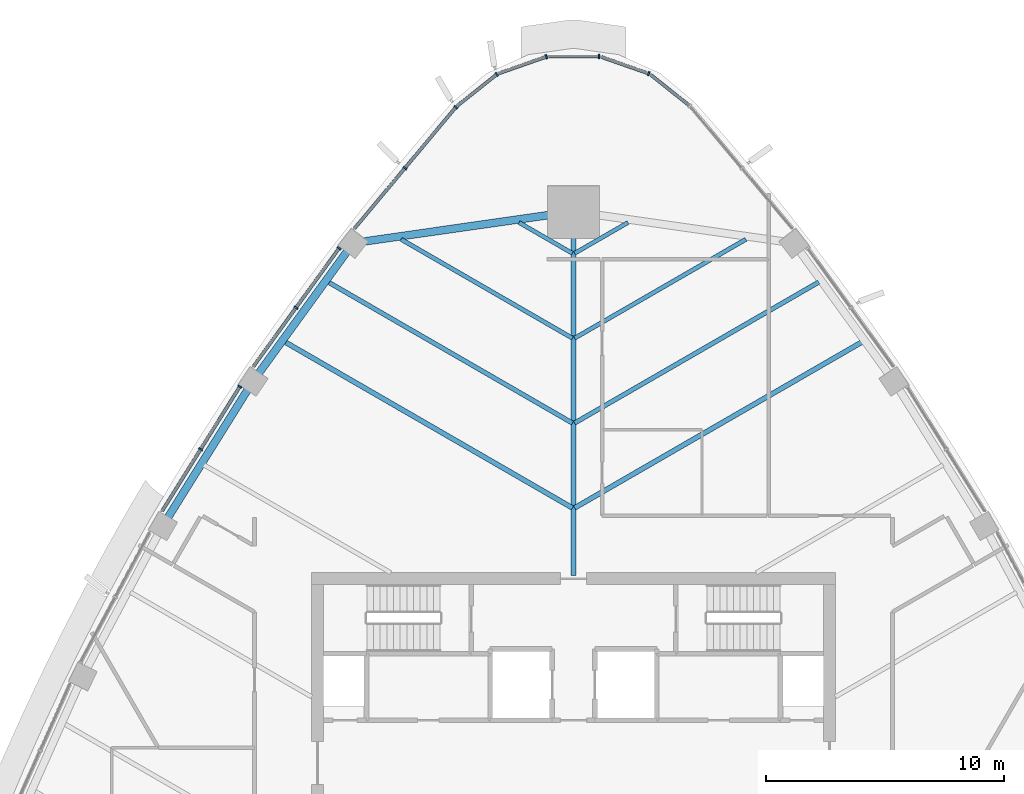
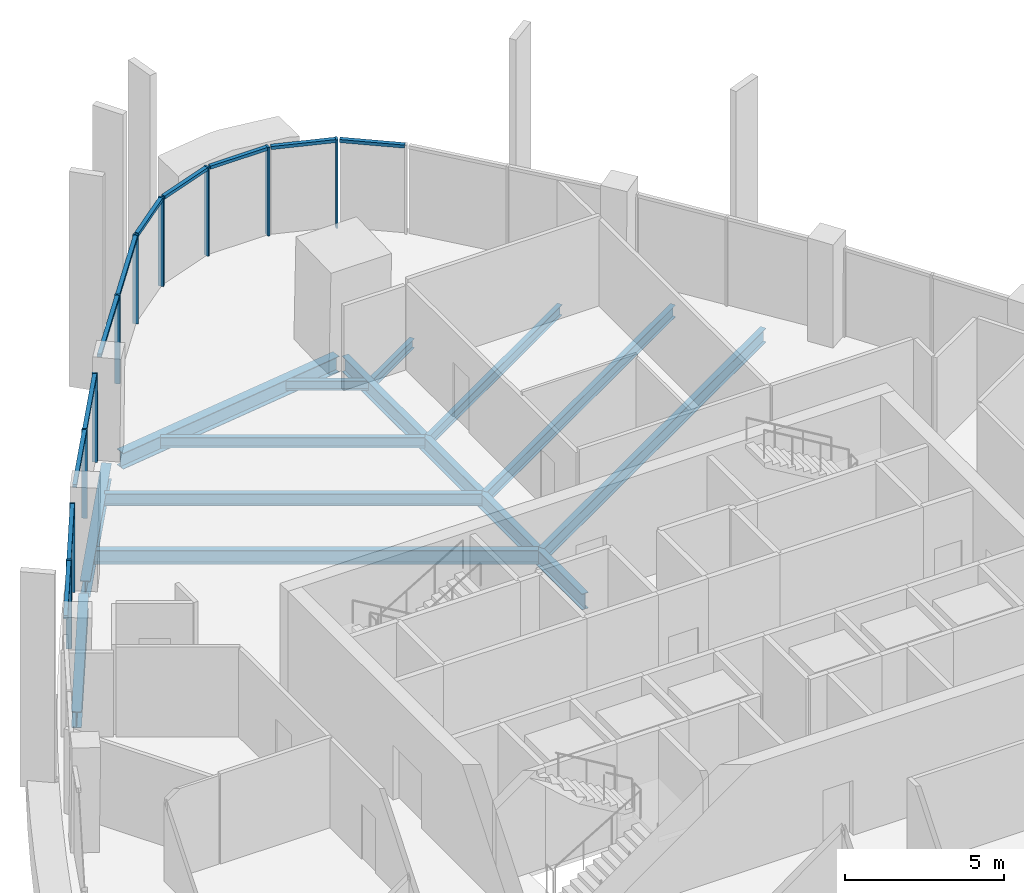
# One storey, part 5 of 19: 21 members, 12 beams, 8 elements without a shape of their own.
"""IFC4 building model written with IfcOpenShell, lengths in metres."""

from ifc_helpers import new_model, si_unit, direction, frame, origin, origin_2d, place, context, subcontext, project, spatial, rectangle, i_section, extrude, material, layer, layer_set, material_profile, profile_set, type_object, element, aggregate, save


model = new_model("IFC4")

# Units and contexts
model_context = context("Model", 3, precision=1e-05, world=origin(), true_north=direction((0.0, 1.0)))
body_context = subcontext(model_context, "Body", "Model", "MODEL_VIEW")
ifc_project = project(units=[si_unit("LENGTHUNIT", "METRE"), si_unit("AREAUNIT", "SQUARE_METRE"), si_unit("VOLUMEUNIT", "CUBIC_METRE"), si_unit("PLANEANGLEUNIT", "RADIAN"), si_unit("MASSUNIT", "GRAM", prefix="KILO")], contexts=[model_context])

# Site, building, storey
site_placement = place(None, origin())
site = spatial("IfcSite", under=ifc_project, at=site_placement, CompositionType="ELEMENT")
building_placement = place(site_placement, origin())
building = spatial("IfcBuilding", under=site, at=building_placement, Name="Sierra Prisma Convention Tower", CompositionType="ELEMENT")
storey_placement = place(building_placement, frame((0.0, 0.0, 311.0)))
storey = spatial("IfcBuildingStorey", under=building, at=storey_placement, Name="L71", CompositionType="ELEMENT", Elevation=311.0)

# Curtain wall, member
ifc_material_1 = material(Name="Aluminium and glass curtain wall", Category="aluminium")
ifc_layer = layer(ifc_material_1, 0.179931640625)
ifc_layer_set = layer_set([ifc_layer], Name="CW-1 Plain shaft curtain wall")
curtain_wall_type = type_object("IfcCurtainWallType", Name="CW-1 Plain shaft curtain wall", PredefinedType="NOTDEFINED", material=ifc_layer_set)
curtain_wall_1_placement = place(storey_placement, origin())
curtain_wall_1 = element("IfcCurtainWall", 1, at=curtain_wall_1_placement, inside=storey, type_object=curtain_wall_type, Name="CW-1 N2 L71", PredefinedType="NOTDEFINED")
ifc_material_2 = material(Name="Aluminium 6063-T6 bronze anodised", Category="aluminium")
ifc_material_profile_1 = material_profile(ifc_material_2, rectangle(XDim=0.179931640625, YDim=0.070068359375, at=origin_2d()), Name="ALU MULLION 70x180")
ifc_profile_set_1 = profile_set([ifc_material_profile_1], Name="Aluminium 6063-T6 bronze anodised")
member_type_1 = type_object("IfcMemberType", Name="CW mullion bronze", PredefinedType="MULLION", material=ifc_profile_set_1)
member_1_placement = place(storey_placement, frame((3.157958984375, 28.96875, 0.0), z_axis=(0.0, 0.0, 1.0), x_axis=(-0.329747920297, -0.944069017106, 0.0)))
member_1 = element("IfcMember", 2, at=member_1_placement, type_object=member_type_1, Name="CW-1 mullion N2.1", PredefinedType="MULLION", context=body_context, shape_type="SweptSolid", body=[
    extrude(rectangle(XDim=0.179931640625, YDim=0.070068359375, at=origin_2d()), origin(), (0.0, 0.0, 1.0), 3.39990234375),
])

curtain_wall_2_placement = place(storey_placement, origin())
curtain_wall_2 = element("IfcCurtainWall", 3, at=curtain_wall_2_placement, inside=storey, type_object=curtain_wall_type, Name="CW-1 N3 L71", PredefinedType="NOTDEFINED")
member_2_placement = place(storey_placement, frame((1.06982421875, 29.68603515625, 0.0), z_axis=(0.0, 0.0, 1.0), x_axis=(0.0, -1.0, 0.0)))
member_2 = element("IfcMember", 4, at=member_2_placement, type_object=member_type_1, Name="CW-1 mullion N3.1", PredefinedType="MULLION", context=body_context, shape_type="SweptSolid", body=[
    extrude(rectangle(XDim=0.179931640625, YDim=0.070068359375, at=origin_2d()), origin(), (0.0, 0.0, 1.0), 3.39990234375),
])

curtain_wall_3_placement = place(storey_placement, origin())
curtain_wall_3 = element("IfcCurtainWall", 5, at=curtain_wall_3_placement, inside=storey, type_object=curtain_wall_type, Name="CW-1 N4 L71", PredefinedType="NOTDEFINED")
member_3_placement = place(storey_placement, frame((-1.137939453125, 29.67431640625, 0.0), z_axis=(0.0, 0.0, 1.0), x_axis=(0.329747920297, -0.944069017106, 0.0)))
member_3 = element("IfcMember", 6, at=member_3_placement, type_object=member_type_1, Name="CW-1 mullion N4.1", PredefinedType="MULLION", context=body_context, shape_type="SweptSolid", body=[
    extrude(rectangle(XDim=0.179931640625, YDim=0.070068359375, at=origin_2d()), origin(), (0.0, 0.0, 1.0), 3.39990234375),
])

curtain_wall_4_placement = place(storey_placement, origin())
curtain_wall_4 = element("IfcCurtainWall", 7, at=curtain_wall_4_placement, inside=storey, type_object=curtain_wall_type, Name="CW-1 N5 L71", PredefinedType="NOTDEFINED")
member_4_placement = place(storey_placement, frame((-3.218505859375, 28.935546875, 0.0), z_axis=(0.0, 0.0, 1.0), x_axis=(0.622609590015, -0.78253261812, 0.0)))
member_4 = element("IfcMember", 8, at=member_4_placement, type_object=member_type_1, Name="CW-1 mullion N5.1", PredefinedType="MULLION", context=body_context, shape_type="SweptSolid", body=[
    extrude(rectangle(XDim=0.179931640625, YDim=0.070068359375, at=origin_2d()), origin(), (0.0, 0.0, 1.0), 3.39990234375),
])

# Curtain wall, members
curtain_wall_5_placement = place(storey_placement, origin())
curtain_wall_5 = element("IfcCurtainWall", 9, at=curtain_wall_5_placement, inside=storey, type_object=curtain_wall_type, Name="CW-1 NW1 L71", PredefinedType="NOTDEFINED")
member_5_placement = place(storey_placement, frame((-4.94287109375, 27.5546875, 0.0), z_axis=(0.0, 0.0, 1.0), x_axis=(0.767292857539, -0.641296866334, 0.0)))
member_5 = element("IfcMember", 10, at=member_5_placement, type_object=member_type_1, Name="CW-1 mullion NW1.1", PredefinedType="MULLION", context=body_context, shape_type="SweptSolid", body=[
    extrude(rectangle(XDim=0.179931640625, YDim=0.070068359375, at=origin_2d()), origin(), (0.0, 0.0, 1.0), 3.39990234375),
])
member_6_placement = place(storey_placement, frame((-7.08203125, 24.994873046875, 0.0), z_axis=(0.0, 0.0, 1.0), x_axis=(0.767292857539, -0.641296866334, 0.0)))
member_6 = element("IfcMember", 11, at=member_6_placement, type_object=member_type_1, Name="CW-1 mullion NW1.2", PredefinedType="MULLION", context=body_context, shape_type="SweptSolid", body=[
    extrude(rectangle(XDim=0.179931640625, YDim=0.070068359375, at=origin_2d()), origin(), (0.0, 0.0, 1.0), 3.39990234375),
])

curtain_wall_6_placement = place(storey_placement, origin())
curtain_wall_6 = element("IfcCurtainWall", 12, at=curtain_wall_6_placement, inside=storey, type_object=curtain_wall_type, Name="CW-1 NW2 L71", PredefinedType="NOTDEFINED")
member_7_placement = place(storey_placement, frame((-9.8427734375, 21.635009765625, 0.0), z_axis=(0.0, 0.0, 1.0), x_axis=(0.80970219231, -0.586841000416, 0.0)))
member_7 = element("IfcMember", 13, at=member_7_placement, type_object=member_type_1, Name="CW-1 mullion NW2.1", PredefinedType="MULLION", context=body_context, shape_type="SweptSolid", body=[
    extrude(rectangle(XDim=0.179931640625, YDim=0.070068359375, at=origin_2d()), origin(), (0.0, 0.0, 1.0), 3.39990234375),
])
member_8_placement = place(storey_placement, frame((-11.655517578125, 19.1337890625, 0.0), z_axis=(0.0, 0.0, 1.0), x_axis=(0.80970219231, -0.586841000416, 0.0)))
member_8 = element("IfcMember", 14, at=member_8_placement, type_object=member_type_1, Name="CW-1 mullion NW2.2", PredefinedType="MULLION", context=body_context, shape_type="SweptSolid", body=[
    extrude(rectangle(XDim=0.179931640625, YDim=0.070068359375, at=origin_2d()), origin(), (0.0, 0.0, 1.0), 3.39990234375),
])

curtain_wall_7_placement = place(storey_placement, origin())
curtain_wall_7 = element("IfcCurtainWall", 15, at=curtain_wall_7_placement, inside=storey, type_object=curtain_wall_type, Name="CW-1 NW3 L71", PredefinedType="NOTDEFINED")
member_9_placement = place(storey_placement, frame((-14.01611328125, 15.818115234375, 0.0), z_axis=(0.0, 0.0, 1.0), x_axis=(0.848254111497, -0.529589428074, 0.0)))
member_9 = element("IfcMember", 16, at=member_9_placement, type_object=member_type_1, Name="CW-1 mullion NW3.1", PredefinedType="MULLION", context=body_context, shape_type="SweptSolid", body=[
    extrude(rectangle(XDim=0.179931640625, YDim=0.070068359375, at=origin_2d()), origin(), (0.0, 0.0, 1.0), 3.39990234375),
])
member_10_placement = place(storey_placement, frame((-15.66064453125, 13.1845703125, 0.0), z_axis=(0.0, 0.0, 1.0), x_axis=(0.848254111497, -0.529589428074, 0.0)))
member_10 = element("IfcMember", 17, at=member_10_placement, type_object=member_type_1, Name="CW-1 mullion NW3.2", PredefinedType="MULLION", context=body_context, shape_type="SweptSolid", body=[
    extrude(rectangle(XDim=0.179931640625, YDim=0.070068359375, at=origin_2d()), origin(), (0.0, 0.0, 1.0), 3.39990234375),
])

# Curtain wall, member
curtain_wall_8_placement = place(storey_placement, origin())
curtain_wall_8 = element("IfcCurtainWall", 18, at=curtain_wall_8_placement, inside=storey, type_object=curtain_wall_type, Name="CW-1 N1 L71", PredefinedType="NOTDEFINED")
ifc_material_3 = material(Name="Aluminium 6063-T6 bronze anodised", Category="aluminium")
ifc_material_profile_2 = material_profile(ifc_material_3, rectangle(XDim=0.139892578125, YDim=0.1201171875, at=origin_2d()), Name="ALU TRANSOM 120x140")
ifc_profile_set_2 = profile_set([ifc_material_profile_2], Name="Aluminium 6063-T6 bronze anodised")
member_type_2 = type_object("IfcMemberType", Name="CW transom bronze", PredefinedType="USERDEFINED", material=ifc_profile_set_2)
member_11_placement = place(storey_placement, frame((4.865478515625, 27.625, 3.340087890625), z_axis=(-0.782546194731, 0.622592525744, 0.0), x_axis=(-0.622592525744, -0.782546194731, 0.0)))
member_11 = element("IfcMember", 19, at=member_11_placement, type_object=member_type_2, Name="CW-1 transom N1.1", ObjectType="TRANSOM", PredefinedType="USERDEFINED", context=body_context, shape_type="SweptSolid", body=[
    extrude(rectangle(XDim=0.139892578125, YDim=0.1201171875, at=origin_2d()), origin(), (0.0, 0.0, 1.0), 2.069580078125),
])
aggregate(curtain_wall_8, [member_11])

# Member
member_12_placement = place(storey_placement, frame((3.125, 28.98046875, 3.340087890625), z_axis=(-0.944093496797, 0.32967782653, 0.0), x_axis=(-0.32967782653, -0.944093496797, 0.0)))
member_12 = element("IfcMember", 20, at=member_12_placement, type_object=member_type_2, Name="CW-1 transom N2.1", ObjectType="TRANSOM", PredefinedType="USERDEFINED", context=body_context, shape_type="SweptSolid", body=[
    extrude(rectangle(XDim=0.139892578125, YDim=0.1201171875, at=origin_2d()), origin(), (0.0, 0.0, 1.0), 2.06982421875),
])

aggregate(curtain_wall_1, [member_1, member_12])

member_13_placement = place(storey_placement, frame((1.034912109375, 29.68603515625, 3.340087890625), z_axis=(-1.0, 0.0, 0.0), x_axis=(0.0, -1.0, 0.0)))
member_13 = element("IfcMember", 21, at=member_13_placement, type_object=member_type_2, Name="CW-1 transom N3.1", ObjectType="TRANSOM", PredefinedType="USERDEFINED", context=body_context, shape_type="SweptSolid", body=[
    extrude(rectangle(XDim=0.139892578125, YDim=0.1201171875, at=origin_2d()), origin(), (0.0, 0.0, 1.0), 2.06982421875),
])

aggregate(curtain_wall_2, [member_2, member_13])

member_14_placement = place(storey_placement, frame((-1.1708984375, 29.662841796875, 3.340087890625), z_axis=(-0.944093496797, -0.32967782653, 0.0), x_axis=(0.32967782653, -0.944093496797, 0.0)))
member_14 = element("IfcMember", 22, at=member_14_placement, type_object=member_type_2, Name="CW-1 transom N4.1", ObjectType="TRANSOM", PredefinedType="USERDEFINED", context=body_context, shape_type="SweptSolid", body=[
    extrude(rectangle(XDim=0.139892578125, YDim=0.1201171875, at=origin_2d()), origin(), (0.0, 0.0, 1.0), 2.06982421875),
])

aggregate(curtain_wall_3, [member_3, member_14])

member_15_placement = place(storey_placement, frame((-3.245849609375, 28.91357421875, 3.340087890625), z_axis=(-0.782546194731, -0.622592525744, 0.0), x_axis=(0.622592525744, -0.782546194731, 0.0)))
member_15 = element("IfcMember", 23, at=member_15_placement, type_object=member_type_2, Name="CW-1 transom N5.1", ObjectType="TRANSOM", PredefinedType="USERDEFINED", context=body_context, shape_type="SweptSolid", body=[
    extrude(rectangle(XDim=0.139892578125, YDim=0.1201171875, at=origin_2d()), origin(), (0.0, 0.0, 1.0), 2.069580078125),
])

aggregate(curtain_wall_4, [member_4, member_15])

member_16_placement = place(storey_placement, frame((-4.96533203125, 27.52783203125, 3.340087890625), z_axis=(-0.641279263435, -0.767307569549, 0.0), x_axis=(0.767307569549, -0.641279263435, 0.0)))
member_16 = element("IfcMember", 24, at=member_16_placement, type_object=member_type_2, Name="CW-1 transom NW1.1", ObjectType="TRANSOM", PredefinedType="USERDEFINED", context=body_context, shape_type="SweptSolid", body=[
    extrude(rectangle(XDim=0.139892578125, YDim=0.1201171875, at=origin_2d()), origin(), (0.0, 0.0, 1.0), 3.26611328125),
])

member_17_placement = place(storey_placement, frame((-7.1044921875, 24.968017578125, 3.340087890625), z_axis=(-0.64131604612, -0.76727682683, 0.0), x_axis=(0.76727682683, -0.64131604612, 0.0)))
member_17 = element("IfcMember", 25, at=member_17_placement, type_object=member_type_2, Name="CW-1 transom NW1.2", ObjectType="TRANSOM", PredefinedType="USERDEFINED", context=body_context, shape_type="SweptSolid", body=[
    extrude(rectangle(XDim=0.139892578125, YDim=0.1201171875, at=origin_2d()), origin(), (0.0, 0.0, 1.0), 3.265869140625),
])

aggregate(curtain_wall_5, [member_5, member_6, member_16, member_17])

member_18_placement = place(storey_placement, frame((-9.86328125, 21.606689453125, 3.340087890625), z_axis=(-0.586839027758, -0.809703622012, 0.0), x_axis=(0.809703622012, -0.586839027758, 0.0)))
member_18 = element("IfcMember", 26, at=member_18_placement, type_object=member_type_2, Name="CW-1 transom NW2.1", ObjectType="TRANSOM", PredefinedType="USERDEFINED", context=body_context, shape_type="SweptSolid", body=[
    extrude(rectangle(XDim=0.139892578125, YDim=0.1201171875, at=origin_2d()), origin(), (0.0, 0.0, 1.0), 3.01904296875),
])

member_19_placement = place(storey_placement, frame((-11.676025390625, 19.10546875, 3.340087890625), z_axis=(-0.586839027758, -0.809703622012, 0.0), x_axis=(0.809703622012, -0.586839027758, 0.0)))
member_19 = element("IfcMember", 27, at=member_19_placement, type_object=member_type_2, Name="CW-1 transom NW2.2", ObjectType="TRANSOM", PredefinedType="USERDEFINED", context=body_context, shape_type="SweptSolid", body=[
    extrude(rectangle(XDim=0.139892578125, YDim=0.1201171875, at=origin_2d()), origin(), (0.0, 0.0, 1.0), 3.01904296875),
])

aggregate(curtain_wall_6, [member_7, member_8, member_18, member_19])

member_20_placement = place(storey_placement, frame((-14.03466796875, 15.78857421875, 3.340087890625), z_axis=(-0.529615667045, -0.84823772919, 0.0), x_axis=(0.84823772919, -0.529615667045, 0.0)))
member_20 = element("IfcMember", 28, at=member_20_placement, type_object=member_type_2, Name="CW-1 transom NW3.1", ObjectType="TRANSOM", PredefinedType="USERDEFINED", context=body_context, shape_type="SweptSolid", body=[
    extrude(rectangle(XDim=0.139892578125, YDim=0.1201171875, at=origin_2d()), origin(), (0.0, 0.0, 1.0), 3.03515625),
])

member_21_placement = place(storey_placement, frame((-15.67919921875, 13.15478515625, 3.340087890625), z_axis=(-0.529557786324, -0.848273865531, 0.0), x_axis=(0.848273865531, -0.529557786324, 0.0)))
member_21 = element("IfcMember", 29, at=member_21_placement, type_object=member_type_2, Name="CW-1 transom NW3.2", ObjectType="TRANSOM", PredefinedType="USERDEFINED", context=body_context, shape_type="SweptSolid", body=[
    extrude(rectangle(XDim=0.139892578125, YDim=0.1201171875, at=origin_2d()), origin(), (0.0, 0.0, 1.0), 3.034912109375),
])

aggregate(curtain_wall_7, [member_9, member_10, member_20, member_21])

# Beams
ifc_material_4 = material(Name="Steel ASTM A992 Gr 50", Category="steel")
ifc_material_profile_3 = material_profile(ifc_material_4, i_section(OverallWidth=0.172119140625, OverallDepth=0.35791015625, WebThickness=0.0078125, FlangeThickness=0.01318359375, at=origin_2d()), Name="W360x57")
ifc_profile_set_3 = profile_set([ifc_material_profile_3], Name="Steel ASTM A992 Gr 50")
beam_type_1 = type_object("IfcBeamType", Name="Floor joist W360x57", PredefinedType="JOIST", material=ifc_profile_set_3)
for number, where, z_axis, x_axis, name in (
    (30, (2.289794921875, 22.71142578125, -0.3291015625), (-0.866042797968, -0.49996987118, 0.0), (0.49996987118, -0.866042797968, 0.0), "Floor joist L71 NE13"),
    (31, (-2.289794921875, 22.71142578125, -0.3291015625), (0.866042797968, -0.49996987118, 0.0), (0.49996987118, 0.866042797968, 0.0), "Floor joist L71 NW01"),
):
    element("IfcBeam", number, at=place(storey_placement, frame(where, z_axis=z_axis, x_axis=x_axis)), inside=storey, type_object=beam_type_1, Name=name, PredefinedType="JOIST", context=body_context, shape_type="SweptSolid", body=[
        extrude(i_section(OverallWidth=0.172119140625, OverallDepth=0.35791015625, WebThickness=0.0078125, FlangeThickness=0.01318359375, at=origin_2d()), origin(), (0.0, 0.0, 1.0), 2.591064453125),
    ])
ifc_material_5 = material(Name="Steel ASTM A992 Gr 50", Category="steel")
ifc_material_profile_4 = material_profile(ifc_material_5, i_section(OverallWidth=0.177978515625, OverallDepth=0.406982421875, WebThickness=0.0078125, FlangeThickness=0.0126953125, at=origin_2d()), Name="W410x60")
ifc_profile_set_4 = profile_set([ifc_material_profile_4], Name="Steel ASTM A992 Gr 50")
beam_type_2 = type_object("IfcBeamType", Name="Floor joist W410x60", PredefinedType="JOIST", material=ifc_profile_set_4)
for number, where, z_axis, x_axis, name in (
    (32, (7.238525390625, 22.003662109375, -0.353515625), (-0.866029429613, -0.499993026995, 0.0), (0.499993026995, -0.866029429613, 0.0), "Floor joist L71 NE12"),
    (33, (-7.238525390625, 22.003662109375, -0.353515625), (0.866029429613, -0.499993026995, 0.0), (0.499993026995, 0.866029429613, 0.0), "Floor joist L71 NW02"),
):
    element("IfcBeam", number, at=place(storey_placement, frame(where, z_axis=z_axis, x_axis=x_axis)), inside=storey, type_object=beam_type_2, Name=name, PredefinedType="JOIST", context=body_context, shape_type="SweptSolid", body=[
        extrude(i_section(OverallWidth=0.177978515625, OverallDepth=0.406982421875, WebThickness=0.0078125, FlangeThickness=0.0126953125, at=origin_2d()), origin(), (0.0, 0.0, 1.0), 8.30517578125),
    ])
ifc_material_6 = material(Name="Steel ASTM A992 Gr 50", Category="steel")
ifc_material_profile_5 = material_profile(ifc_material_6, i_section(OverallWidth=0.18994140625, OverallDepth=0.45703125, WebThickness=0.009033203125, FlangeThickness=0.014404296875, at=origin_2d()), Name="W460x74")
ifc_profile_set_5 = profile_set([ifc_material_profile_5], Name="Steel ASTM A992 Gr 50")
beam_type_3 = type_object("IfcBeamType", Name="Floor joist W460x74", PredefinedType="JOIST", material=ifc_profile_set_5)
for number, where, z_axis, x_axis, name in (
    (34, (10.304931640625, 20.209228515625, -0.37841796875), (-0.866023937209, -0.500002540174, 0.0), (0.500002540174, -0.866023937209, 0.0), "Floor joist L71 NE11"),
    (35, (-10.304931640625, 20.209228515625, -0.37841796875), (0.866023937209, -0.500002540174, 0.0), (0.500002540174, 0.866023937209, 0.0), "Floor joist L71 NW03"),
):
    element("IfcBeam", number, at=place(storey_placement, frame(where, z_axis=z_axis, x_axis=x_axis)), inside=storey, type_object=beam_type_3, Name=name, PredefinedType="JOIST", context=body_context, shape_type="SweptSolid", body=[
        extrude(i_section(OverallWidth=0.18994140625, OverallDepth=0.45703125, WebThickness=0.009033203125, FlangeThickness=0.014404296875, at=origin_2d()), origin(), (0.0, 0.0, 1.0), 11.84619140625),
    ])
ifc_material_7 = material(Name="Steel ASTM A992 Gr 50", Category="steel")
ifc_material_profile_6 = material_profile(ifc_material_7, i_section(OverallWidth=0.208984375, OverallDepth=0.532958984375, WebThickness=0.01025390625, FlangeThickness=0.015625, at=origin_2d()), Name="W530x92")
ifc_profile_set_6 = profile_set([ifc_material_profile_6], Name="Steel ASTM A992 Gr 50")
beam_type_4 = type_object("IfcBeamType", Name="Floor joist W530x92", PredefinedType="JOIST", material=ifc_profile_set_6)
for number, where, z_axis, x_axis, name in (
    (36, (12.12646484375, 17.69580078125, -0.41650390625), (-0.866028783947, -0.499994145342, 0.0), (0.499994145342, -0.866028783947, 0.0), "Floor joist L71 NE10"),
    (37, (-12.12646484375, 17.69580078125, -0.41650390625), (0.866028783947, -0.499994145342, 0.0), (0.499994145342, 0.866028783947, 0.0), "Floor joist L71 NW04"),
):
    element("IfcBeam", number, at=place(storey_placement, frame(where, z_axis=z_axis, x_axis=x_axis)), inside=storey, type_object=beam_type_4, Name=name, PredefinedType="JOIST", context=body_context, shape_type="SweptSolid", body=[
        extrude(i_section(OverallWidth=0.208984375, OverallDepth=0.532958984375, WebThickness=0.01025390625, FlangeThickness=0.015625, at=origin_2d()), origin(), (0.0, 0.0, 1.0), 13.949462890625),
    ])
ifc_material_8 = material(Name="Steel ASTM A992 Gr 50", Category="steel")
ifc_material_profile_7 = material_profile(ifc_material_8, i_section(OverallWidth=0.22998046875, OverallDepth=0.616943359375, WebThickness=0.01318359375, FlangeThickness=0.022216796875, at=origin_2d()), Name="W610x140")
ifc_profile_set_7 = profile_set([ifc_material_profile_7], Name="Steel ASTM A992 Gr 50")
beam_type_5 = type_object("IfcBeamType", Name="Radial girder W610x140", PredefinedType="BEAM", material=ifc_profile_set_7)
beam_1_placement = place(storey_placement, frame((0.0, 22.951904296875, -0.45849609375), z_axis=(0.0, -1.0, 0.0), x_axis=(1.0, 0.0, 0.0)))
element("IfcBeam", 38, at=beam_1_placement, inside=storey, type_object=beam_type_5, Name="Radial girder L71 N", PredefinedType="BEAM", context=body_context, shape_type="SweptSolid", body=[
    extrude(i_section(OverallWidth=0.22998046875, OverallDepth=0.616943359375, WebThickness=0.01318359375, FlangeThickness=0.022216796875, at=origin_2d()), origin(), (0.0, 0.0, 1.0), 15.072021484375),
])
ifc_material_9 = material(Name="Steel ASTM A992 Gr 50", Category="steel")
ifc_material_profile_8 = material_profile(ifc_material_9, i_section(OverallWidth=0.324951171875, OverallDepth=0.615966796875, WebThickness=0.013916015625, FlangeThickness=0.021484375, at=origin_2d()), Name="W610x174")
ifc_profile_set_8 = profile_set([ifc_material_profile_8], Name="Steel ASTM A992 Gr 50")
beam_type_6 = type_object("IfcBeamType", Name="Spandrel beam W610x174", PredefinedType="BEAM", material=ifc_profile_set_8)
beam_2_placement = place(storey_placement, frame((-0.219970703125, 23.140380859375, -0.4580078125), z_axis=(-0.989929665529, -0.141560083731, 0.0), x_axis=(0.141560083731, -0.989929665529, 0.0)))
element("IfcBeam", 39, at=beam_2_placement, inside=storey, type_object=beam_type_6, Name="Spandrel L71-13", PredefinedType="BEAM", context=body_context, shape_type="SweptSolid", body=[
    extrude(i_section(OverallWidth=0.324951171875, OverallDepth=0.615966796875, WebThickness=0.013916015625, FlangeThickness=0.021484375, at=origin_2d()), origin(), (0.0, 0.0, 1.0), 8.623291015625),
])
for number, where, z_axis, x_axis, name in (
    (40, (-9.4501953125, 21.58056640625, -0.4580078125), (-0.586839067065, -0.809703593525, 0.0), (0.809703593525, -0.586839067065, 0.0), "Spandrel L71-14"),
    (41, (-13.6376953125, 15.76416015625, -0.4580078125), (-0.529577315398, -0.848261673669, 0.0), (0.848261673669, -0.529577315398, 0.0), "Spandrel L71-15"),
):
    element("IfcBeam", number, at=place(storey_placement, frame(where, z_axis=z_axis, x_axis=x_axis)), inside=storey, type_object=beam_type_6, Name=name, PredefinedType="BEAM", context=body_context, shape_type="SweptSolid", body=[
        extrude(i_section(OverallWidth=0.324951171875, OverallDepth=0.615966796875, WebThickness=0.013916015625, FlangeThickness=0.021484375, at=origin_2d()), origin(), (0.0, 0.0, 1.0), 6.507080078125),
    ])

save(model, "model.ifc")
